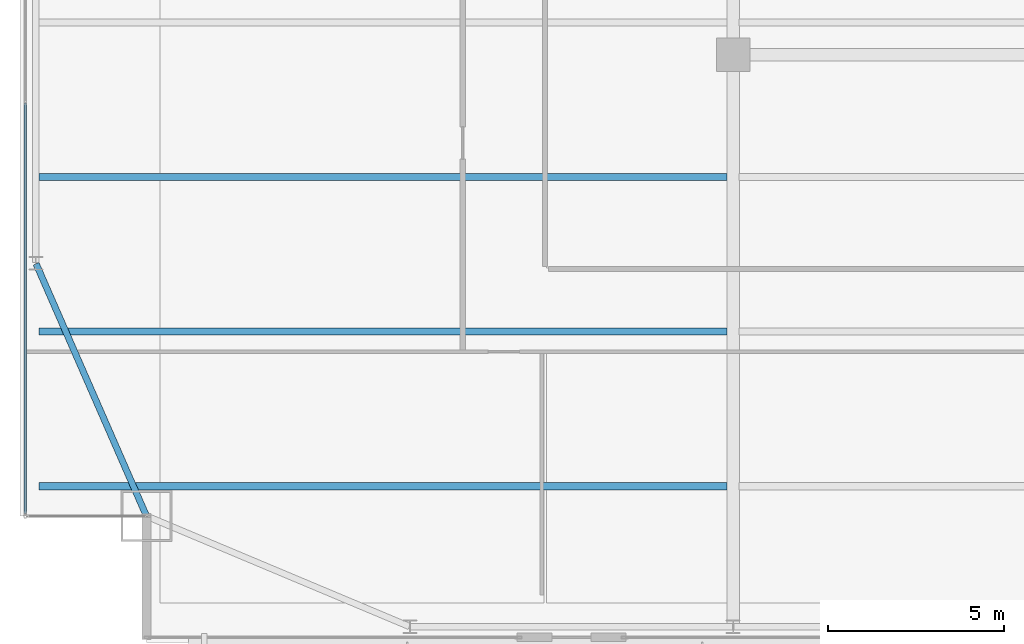
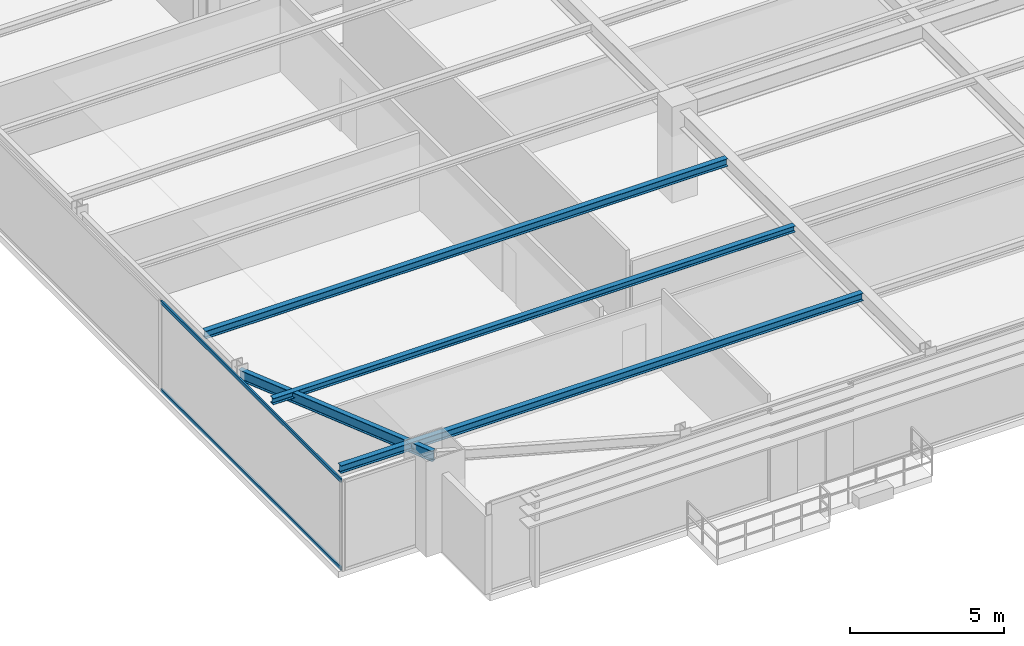
# One storey, part 5 of 34: 4 beams, 2 members, 1 element without a shape of its own.
"""IFC4 building model written with IfcOpenShell, lengths in metres."""

from ifc_helpers import new_model, si_unit, direction, frame, origin, origin_2d, place, context, subcontext, project, spatial, hollow_rectangle, i_section, extrude, source, transform, mapped, material, layer, layer_set, material_profile, profile_set, type_object, type_shapes, element, aggregate, save


model = new_model("IFC4")

# Units and contexts
model_context = context("Model", 3, precision=1e-05, world=origin(), true_north=direction((0.0, 1.0)))
body_context = subcontext(model_context, "Body", "Model", "MODEL_VIEW")
ifc_project = project(units=[si_unit("LENGTHUNIT", "METRE"), si_unit("AREAUNIT", "SQUARE_METRE"), si_unit("VOLUMEUNIT", "CUBIC_METRE"), si_unit("PLANEANGLEUNIT", "RADIAN"), si_unit("MASSUNIT", "GRAM", prefix="KILO")], contexts=[model_context])

# Site, building, storey
site_placement = place(None, origin())
site = spatial("IfcSite", under=ifc_project, at=site_placement, CompositionType="ELEMENT")
building_placement = place(site_placement, origin())
building = spatial("IfcBuilding", under=site, at=building_placement, Name="Varnel Quay Broadcast Tower", CompositionType="ELEMENT")
storey_placement = place(building_placement, frame((0.0, 0.0, 110.60009765625)))
storey = spatial("IfcBuildingStorey", under=building, at=storey_placement, Name="L26", CompositionType="ELEMENT", Elevation=110.60009765625)

# Beams
ifc_material_1 = material(Name="Structural Steel CSA G40.21 350W", Category="steel")
ifc_material_profile_1 = material_profile(ifc_material_1, i_section(OverallWidth=0.180908203125, OverallDepth=0.4169921875, WebThickness=0.010986328125, FlangeThickness=0.018310546875, FilletRadius=0.011962890625, at=origin_2d()), Name="W410X85")
ifc_profile_set_1 = profile_set([ifc_material_profile_1], Name="Structural Steel CSA G40.21 350W")
beam_type_1 = type_object("IfcBeamType", Name="Beam_W410X85", PredefinedType="SPANDREL", material=ifc_profile_set_1)
shared_shape_1 = source(origin(), body_context, "Body", "SweptSolid", [
    extrude(i_section(OverallWidth=0.180908203125, OverallDepth=0.4169921875, WebThickness=0.010986328125, FlangeThickness=0.018310546875, FilletRadius=0.011962890625, at=origin_2d()), origin(), (0.0, 0.0, 1.0), 7.81884765625),
])
type_shapes(beam_type_1, [shared_shape_1])
beam_1_placement = place(storey_placement, frame((8.092041015625, 7.818359375, 3.34130859375), z_axis=(-0.400827023998, 0.916153751743, 0.0), x_axis=(-0.916153751743, -0.400827023998, 0.0)))
element("IfcBeam", 1, at=beam_1_placement, inside=storey, type_object=beam_type_1, Name="L26 West Spandrel MC-SW-TC-W1", PredefinedType="SPANDREL", context=body_context, shape_type="MappedRepresentation", body=[
    mapped(shared_shape_1, transform((0.0, 0.0, 0.0), x_axis=(1.0, 0.0, 0.0), y_axis=(0.0, 1.0, 0.0), z_axis=(0.0, 0.0, 1.0), scale=1.0)),
])
ifc_material_profile_2 = material_profile(ifc_material_1, i_section(OverallWidth=0.202880859375, OverallDepth=0.302978515625, WebThickness=0.007568359375, FlangeThickness=0.01318359375, FilletRadius=0.011962890625, at=origin_2d()), Name="W310X60")
ifc_profile_set_2 = profile_set([ifc_material_profile_2], Name="Structural Steel CSA G40.21 350W")
beam_type_2 = type_object("IfcBeamType", Name="Beam_W310X60", PredefinedType="JOIST", material=ifc_profile_set_2)
shared_shape_2 = source(origin(), body_context, "Body", "SweptSolid", [
    extrude(i_section(OverallWidth=0.202880859375, OverallDepth=0.302978515625, WebThickness=0.007568359375, FlangeThickness=0.01318359375, FilletRadius=0.011962890625, at=origin_2d()), origin(), (0.0, 0.0, 1.0), 19.592041015625),
])
type_shapes(beam_type_2, [shared_shape_2])
for number, where, z_axis, x_axis, name in (
    (2, (5.035400390625, 8.64990234375, 3.3984375), (1.0, 0.0, 0.0), (0.0, 1.0, 0.0), "L26 West Floor Joist 1"),
    (3, (5.035400390625, 17.449951171875, 3.3984375), (1.0, 0.0, 0.0), (0.0, 1.0, 0.0), "L26 West Floor Joist 3"),
):
    element("IfcBeam", number, at=place(storey_placement, frame(where, z_axis=z_axis, x_axis=x_axis)), inside=storey, type_object=beam_type_2, Name=name, PredefinedType="JOIST", context=body_context, shape_type="MappedRepresentation", body=[
        mapped(shared_shape_2, transform((0.0, 0.0, 0.0), x_axis=(1.0, 0.0, 0.0), y_axis=(0.0, 1.0, 0.0), z_axis=(0.0, 0.0, 1.0), scale=1.0)),
    ])
ifc_material_profile_3 = material_profile(ifc_material_1, i_section(OverallWidth=0.201904296875, OverallDepth=0.2470703125, WebThickness=0.00732421875, FlangeThickness=0.010986328125, FilletRadius=0.010986328125, at=origin_2d()), Name="W250X49")
ifc_profile_set_3 = profile_set([ifc_material_profile_3], Name="Structural Steel CSA G40.21 350W")
beam_type_3 = type_object("IfcBeamType", Name="Beam_W250X49", PredefinedType="JOIST", material=ifc_profile_set_3)
shared_shape_3 = source(origin(), body_context, "Body", "SweptSolid", [
    extrude(i_section(OverallWidth=0.201904296875, OverallDepth=0.2470703125, WebThickness=0.00732421875, FlangeThickness=0.010986328125, FilletRadius=0.010986328125, at=origin_2d()), origin(), (0.0, 0.0, 1.0), 19.592041015625),
])
type_shapes(beam_type_3, [shared_shape_3])
beam_2_placement = place(storey_placement, frame((5.035400390625, 13.050048828125, 3.426513671875), z_axis=(1.0, 0.0, 0.0), x_axis=(0.0, 1.0, 0.0)))
element("IfcBeam", 4, at=beam_2_placement, inside=storey, type_object=beam_type_3, Name="L26 West Floor Joist 2", PredefinedType="JOIST", context=body_context, shape_type="MappedRepresentation", body=[
    mapped(shared_shape_3, transform((0.0, 0.0, 0.0), x_axis=(1.0, 0.0, 0.0), y_axis=(0.0, 1.0, 0.0), z_axis=(0.0, 0.0, 1.0), scale=1.0)),
])

# Curtain wall, members
ifc_material_2 = material(Name="Anodised Bronze Aluminium 6063-T6", Category="aluminium")
ifc_layer = layer(ifc_material_2, 0.18994140625, Name="Anodised Bronze Aluminium 6063-T6")
ifc_layer_set = layer_set([ifc_layer], Name="Anodised Bronze Aluminium 6063-T6")
curtain_wall_type = type_object("IfcCurtainWallType", Name="CW_LowerTower", PredefinedType="NOTDEFINED", material=ifc_layer_set)
curtain_wall_placement = place(storey_placement, origin())
curtain_wall = element("IfcCurtainWall", 5, at=curtain_wall_placement, inside=storey, type_object=curtain_wall_type, Name="L26 West Unitised Curtain Wall", PredefinedType="NOTDEFINED")
ifc_material_profile_4 = material_profile(ifc_material_2, hollow_rectangle(XDim=0.06005859375, YDim=0.14501953125, WallThickness=0.00341796875, at=origin_2d()), Name="ALU60X145X3.5")
ifc_profile_set_4 = profile_set([ifc_material_profile_4], Name="Anodised Bronze Aluminium 6063-T6")
member_type = type_object("IfcMemberType", Name="Tran_CWS-02", PredefinedType="USERDEFINED", material=ifc_profile_set_4)
shared_shape_4 = source(origin(), body_context, "Body", "SweptSolid", [
    extrude(hollow_rectangle(XDim=0.06005859375, YDim=0.14501953125, WallThickness=0.00341796875, at=origin_2d()), origin(), (0.0, 0.0, 1.0), 11.69482421875),
])
type_shapes(member_type, [shared_shape_4])
member_1_placement = place(storey_placement, frame((4.64990234375, 7.8701171875, 0.02978515625), z_axis=(0.0, 1.0, 0.0), x_axis=(-1.0, 0.0, 0.0)))
member_1 = element("IfcMember", 6, at=member_1_placement, type_object=member_type, Name="CWS-02 transom 1.1", ObjectType="TRANSOM", PredefinedType="USERDEFINED", context=body_context, shape_type="MappedRepresentation", body=[
    mapped(shared_shape_4, transform((0.0, 0.0, 0.0), x_axis=(1.0, 0.0, 0.0), y_axis=(0.0, 1.0, 0.0), z_axis=(0.0, 0.0, 1.0), scale=1.0)),
])
member_2_placement = place(storey_placement, frame((4.64990234375, 7.8701171875, 3.52001953125), z_axis=(0.0, 1.0, 0.0), x_axis=(-1.0, 0.0, 0.0)))
member_2 = element("IfcMember", 7, at=member_2_placement, type_object=member_type, Name="CWS-02 transom 1.2", ObjectType="TRANSOM", PredefinedType="USERDEFINED", context=body_context, shape_type="MappedRepresentation", body=[
    mapped(shared_shape_4, transform((0.0, 0.0, 0.0), x_axis=(1.0, 0.0, 0.0), y_axis=(0.0, 1.0, 0.0), z_axis=(0.0, 0.0, 1.0), scale=1.0)),
])
aggregate(curtain_wall, [member_1, member_2])

save(model, "model.ifc")
